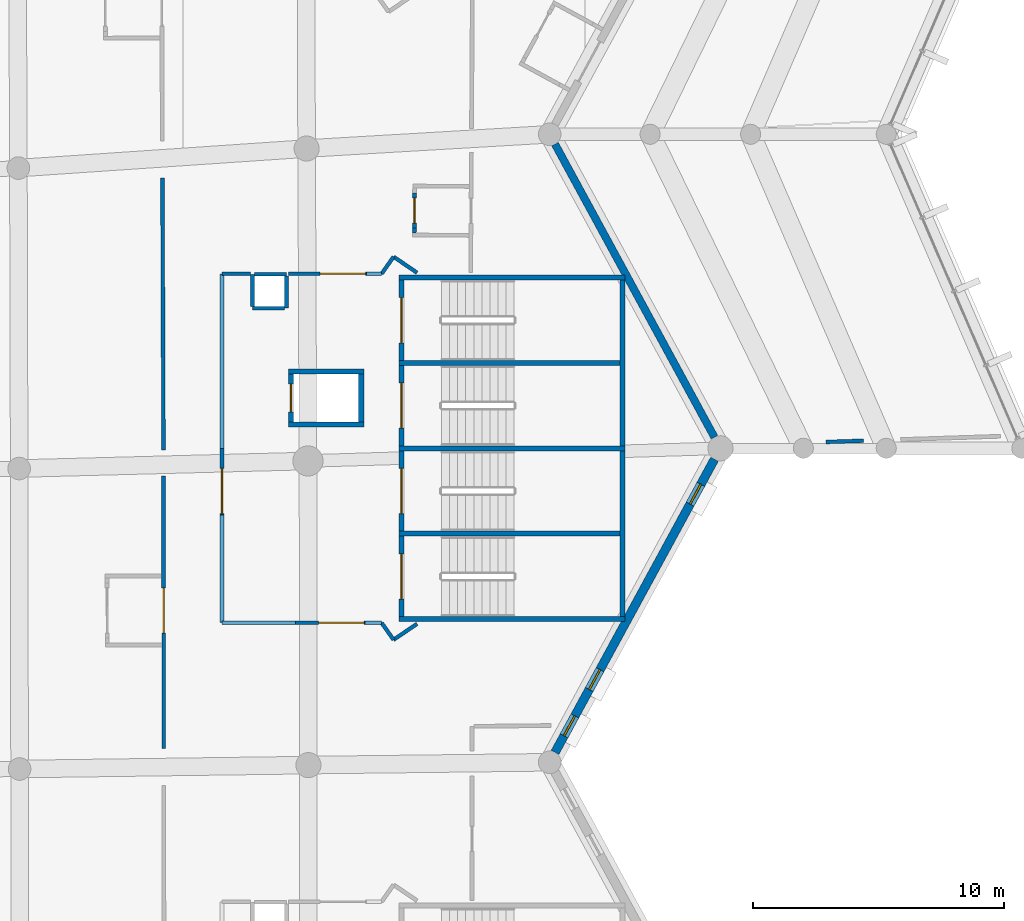
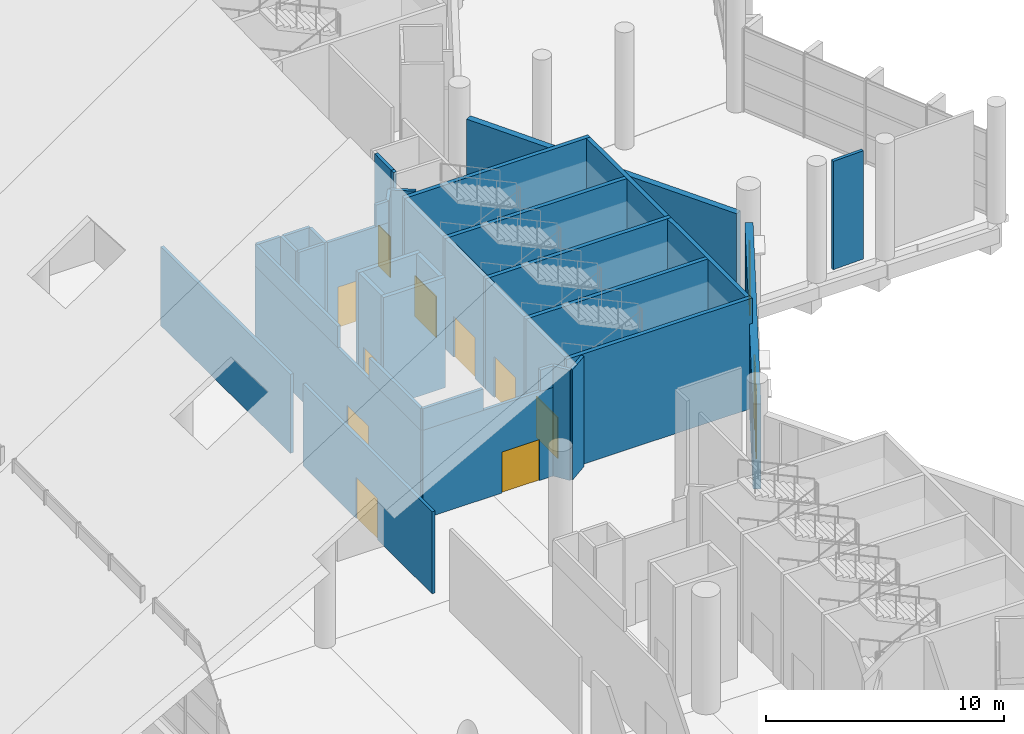
# One storey, part 170 of 249: 39 walls, 10 doors, 3 windows, 13 openings.
"""IFC4 building model written with IfcOpenShell, lengths in metres."""

from ifc_helpers import new_model, si_unit, direction, frame, frame_2d, origin, place, context, subcontext, project, spatial, rectangle, extrude, material, layer, layer_set, type_object, element, fill, save


model = new_model("IFC4")

# Units and contexts
model_context = context("Model", 3, precision=1e-05, world=origin(), true_north=direction((0.0, 1.0)))
body_context = subcontext(model_context, "Body", "Model", "MODEL_VIEW")
ifc_project = project(units=[si_unit("LENGTHUNIT", "METRE"), si_unit("AREAUNIT", "SQUARE_METRE"), si_unit("VOLUMEUNIT", "CUBIC_METRE"), si_unit("PLANEANGLEUNIT", "RADIAN"), si_unit("MASSUNIT", "GRAM", prefix="KILO")], contexts=[model_context])

# Site, building, storey
site_placement = place(None, origin())
site = spatial("IfcSite", under=ifc_project, at=site_placement, CompositionType="ELEMENT")
building_placement = place(site_placement, origin())
building = spatial("IfcBuilding", under=site, at=building_placement, Name="Meseta Stadium", CompositionType="ELEMENT")
storey_placement = place(building_placement, frame((0.0, 0.0, 12.0)))
storey = spatial("IfcBuildingStorey", under=building, at=storey_placement, Name="L02", CompositionType="ELEMENT", Elevation=12.0)

# Walls
ifc_material_1 = material(Name="Concrete C40/50", Category="concrete")
ifc_layer_1 = layer(ifc_material_1, 0.199951171875)
ifc_layer_set_1 = layer_set([ifc_layer_1], Name="Core divider wall 200")
wall_type_1 = type_object("IfcWallType", Name="Core divider wall 200", PredefinedType="SHEAR", material=ifc_layer_set_1)
for number, where, z_axis, x_axis, name in (
    (1, (97.60009765625, 15.35009765625, 0.0), (0.0, 0.0, 1.0), (-1.0, 0.0, 0.0), "Core 04 L02 stair A divider wall"),
    (2, (97.60009765625, 22.14990234375, 0.0), (0.0, 0.0, 1.0), (-1.0, 0.0, 0.0), "Core 04 L02 stair B divider wall"),
):
    element("IfcWall", number, at=place(storey_placement, frame(where, z_axis=z_axis, x_axis=x_axis)), inside=storey, type_object=wall_type_1, Name=name, PredefinedType="SHEAR", context=body_context, shape_type="SweptSolid", body=[
        extrude(rectangle(XDim=9.0, YDim=0.199951171875, at=frame_2d((4.5, 0.0))), origin(), (0.0, 0.0, 1.0), 5.64990234375),
    ])
ifc_material_2 = material(Name="Concrete C40/50", Category="concrete")
ifc_layer_2 = layer(ifc_material_2, 0.199951171875)
ifc_layer_set_2 = layer_set([ifc_layer_2], Name="Core shaft wall 200")
wall_type_2 = type_object("IfcWallType", Name="Core shaft wall 200", PredefinedType="SHEAR", material=ifc_layer_set_2)
for number, where, z_axis, x_axis, name in (
    (3, (97.60009765625, 11.949951171875, 0.0), (0.0, 0.0, 1.0), (-1.0, 0.0, 0.0), "Core 04 L02 stair wall A-side"),
    (4, (97.60009765625, 18.75, 0.0), (0.0, 0.0, 1.0), (-1.0, 0.0, 0.0), "Core 04 L02 stair wall shared"),
    (5, (97.60009765625, 25.550048828125, 0.0), (0.0, 0.0, 1.0), (-1.0, 0.0, 0.0), "Core 04 L02 stair wall B-side"),
):
    element("IfcWall", number, at=place(storey_placement, frame(where, z_axis=z_axis, x_axis=x_axis)), inside=storey, type_object=wall_type_2, Name=name, PredefinedType="SHEAR", context=body_context, shape_type="SweptSolid", body=[
        extrude(rectangle(XDim=9.0, YDim=0.199951171875, at=frame_2d((4.5, 0.0))), origin(), (0.0, 0.0, 1.0), 5.64990234375),
    ])
for number, where, z_axis, x_axis, name in (
    (6, (97.5, 12.050048828125, 0.0), (0.0, 0.0, 1.0), (0.0, 1.0, 0.0), "Core 04 L02 stair A outer end wall"),
    (7, (97.5, 18.85009765625, 0.0), (0.0, 0.0, 1.0), (0.0, 1.0, 0.0), "Core 04 L02 stair B outer end wall"),
):
    element("IfcWall", number, at=place(storey_placement, frame(where, z_axis=z_axis, x_axis=x_axis)), inside=storey, type_object=wall_type_2, Name=name, PredefinedType="SHEAR", context=body_context, shape_type="SweptSolid", body=[
        extrude(rectangle(XDim=6.599853515625, YDim=0.199951171875, at=frame_2d((3.2998046875, 0.0))), origin(), (0.0, 0.0, 1.0), 5.64990234375),
    ])

# Wall, opening, door
wall_1_placement = place(storey_placement, frame((88.699951171875, 12.050048828125, 0.0), z_axis=(0.0, 0.0, 1.0), x_axis=(0.0, 1.0, 0.0)))
wall_1 = element("IfcWall", 8, at=wall_1_placement, inside=storey, type_object=wall_type_2, Name="Core 04 L02 stair A1 inner end wall", PredefinedType="SHEAR", context=body_context, shape_type="SweptSolid", body=[
    extrude(rectangle(XDim=3.199951171875, YDim=0.199951171875, at=frame_2d((1.60009765625, 0.0))), origin(), (0.0, 0.0, 1.0), 5.64990234375),
])
opening_1_placement = place(wall_1_placement, frame((0.699951171875, 0.0, 0.0)))
opening_1 = element("IfcOpeningElement", 9, at=opening_1_placement, cuts=wall_1, Name="Opening D1249", PredefinedType="OPENING", context=body_context, shape_type="SweptSolid", body=[
    extrude(rectangle(XDim=1.800048828125, YDim=2.10009765625, at=frame_2d((0.89990234375, 1.050048828125))), frame((0.0, 0.10986328125, 0.0), z_axis=(0.0, -1.0, 0.0), x_axis=(1.0, 0.0, 0.0)), (0.0, 0.0, 1.0), 0.219970703125),
])
ifc_material_3 = material(Name="Steel", Category="steel")
door_type_1 = type_object("IfcDoorType", Name="Stair door 1800x2100", OperationType="DOUBLE_DOOR_SINGLE_SWING", PredefinedType="DOOR", material=ifc_material_3)
door_1_placement = place(opening_1_placement, origin())
door_1 = element("IfcDoor", 10, at=door_1_placement, inside=storey, type_object=door_type_1, Name="Stair A1 door 04 L02", OperationType="DOUBLE_DOOR_SINGLE_SWING", OverallHeight=2.10009765625, OverallWidth=1.800048828125, PredefinedType="DOOR", context=body_context, shape_type="SweptSolid", body=[
    extrude(rectangle(XDim=1.800048828125, YDim=2.10009765625, at=frame_2d((0.89990234375, 1.050048828125))), frame((0.0, 0.02490234375, 0.0), z_axis=(0.0, -1.0, 0.0), x_axis=(1.0, 0.0, 0.0)), (0.0, 0.0, 1.0), 0.050048828125),
])
fill(opening_1, door_1)

wall_2_placement = place(storey_placement, frame((88.699951171875, 15.449951171875, 0.0), z_axis=(0.0, 0.0, 1.0), x_axis=(0.0, 1.0, 0.0)))
wall_2 = element("IfcWall", 11, at=wall_2_placement, inside=storey, type_object=wall_type_2, Name="Core 04 L02 stair A2 inner end wall", PredefinedType="SHEAR", context=body_context, shape_type="SweptSolid", body=[
    extrude(rectangle(XDim=3.199951171875, YDim=0.199951171875, at=frame_2d((1.60009765625, 0.0))), origin(), (0.0, 0.0, 1.0), 5.64990234375),
])
opening_2_placement = place(wall_2_placement, frame((0.699951171875, 0.0, 0.0)))
opening_2 = element("IfcOpeningElement", 12, at=opening_2_placement, cuts=wall_2, Name="Opening D1250", PredefinedType="OPENING", context=body_context, shape_type="SweptSolid", body=[
    extrude(rectangle(XDim=1.800048828125, YDim=2.10009765625, at=frame_2d((0.89990234375, 1.050048828125))), frame((0.0, 0.10986328125, 0.0), z_axis=(0.0, -1.0, 0.0), x_axis=(1.0, 0.0, 0.0)), (0.0, 0.0, 1.0), 0.219970703125),
])
door_2_placement = place(opening_2_placement, origin())
door_2 = element("IfcDoor", 13, at=door_2_placement, inside=storey, type_object=door_type_1, Name="Stair A2 door 04 L02", OperationType="DOUBLE_DOOR_SINGLE_SWING", OverallHeight=2.10009765625, OverallWidth=1.800048828125, PredefinedType="DOOR", context=body_context, shape_type="SweptSolid", body=[
    extrude(rectangle(XDim=1.800048828125, YDim=2.10009765625, at=frame_2d((0.89990234375, 1.050048828125))), frame((0.0, 0.02490234375, 0.0), z_axis=(0.0, -1.0, 0.0), x_axis=(1.0, 0.0, 0.0)), (0.0, 0.0, 1.0), 0.050048828125),
])
fill(opening_2, door_2)

wall_3_placement = place(storey_placement, frame((88.699951171875, 18.85009765625, 0.0), z_axis=(0.0, 0.0, 1.0), x_axis=(0.0, 1.0, 0.0)))
wall_3 = element("IfcWall", 14, at=wall_3_placement, inside=storey, type_object=wall_type_2, Name="Core 04 L02 stair B1 inner end wall", PredefinedType="SHEAR", context=body_context, shape_type="SweptSolid", body=[
    extrude(rectangle(XDim=3.199951171875, YDim=0.199951171875, at=frame_2d((1.60009765625, 0.0))), origin(), (0.0, 0.0, 1.0), 5.64990234375),
])
opening_3_placement = place(wall_3_placement, frame((0.699951171875, 0.0, 0.0)))
opening_3 = element("IfcOpeningElement", 15, at=opening_3_placement, cuts=wall_3, Name="Opening D1251", PredefinedType="OPENING", context=body_context, shape_type="SweptSolid", body=[
    extrude(rectangle(XDim=1.800048828125, YDim=2.10009765625, at=frame_2d((0.89990234375, 1.050048828125))), frame((0.0, 0.10986328125, 0.0), z_axis=(0.0, -1.0, 0.0), x_axis=(1.0, 0.0, 0.0)), (0.0, 0.0, 1.0), 0.219970703125),
])
door_3_placement = place(opening_3_placement, origin())
door_3 = element("IfcDoor", 16, at=door_3_placement, inside=storey, type_object=door_type_1, Name="Stair B1 door 04 L02", OperationType="DOUBLE_DOOR_SINGLE_SWING", OverallHeight=2.10009765625, OverallWidth=1.800048828125, PredefinedType="DOOR", context=body_context, shape_type="SweptSolid", body=[
    extrude(rectangle(XDim=1.800048828125, YDim=2.10009765625, at=frame_2d((0.89990234375, 1.050048828125))), frame((0.0, 0.02490234375, 0.0), z_axis=(0.0, -1.0, 0.0), x_axis=(1.0, 0.0, 0.0)), (0.0, 0.0, 1.0), 0.050048828125),
])
fill(opening_3, door_3)

wall_4_placement = place(storey_placement, frame((88.699951171875, 22.25, 0.0), z_axis=(0.0, 0.0, 1.0), x_axis=(0.0, 1.0, 0.0)))
wall_4 = element("IfcWall", 17, at=wall_4_placement, inside=storey, type_object=wall_type_2, Name="Core 04 L02 stair B2 inner end wall", PredefinedType="SHEAR", context=body_context, shape_type="SweptSolid", body=[
    extrude(rectangle(XDim=3.199951171875, YDim=0.199951171875, at=frame_2d((1.60009765625, 0.0))), origin(), (0.0, 0.0, 1.0), 5.64990234375),
])
opening_4_placement = place(wall_4_placement, frame((0.699951171875, 0.0, 0.0)))
opening_4 = element("IfcOpeningElement", 18, at=opening_4_placement, cuts=wall_4, Name="Opening D1252", PredefinedType="OPENING", context=body_context, shape_type="SweptSolid", body=[
    extrude(rectangle(XDim=1.800048828125, YDim=2.10009765625, at=frame_2d((0.89990234375, 1.050048828125))), frame((0.0, 0.10986328125, 0.0), z_axis=(0.0, -1.0, 0.0), x_axis=(1.0, 0.0, 0.0)), (0.0, 0.0, 1.0), 0.219970703125),
])
door_4_placement = place(opening_4_placement, origin())
door_4 = element("IfcDoor", 19, at=door_4_placement, inside=storey, type_object=door_type_1, Name="Stair B2 door 04 L02", OperationType="DOUBLE_DOOR_SINGLE_SWING", OverallHeight=2.10009765625, OverallWidth=1.800048828125, PredefinedType="DOOR", context=body_context, shape_type="SweptSolid", body=[
    extrude(rectangle(XDim=1.800048828125, YDim=2.10009765625, at=frame_2d((0.89990234375, 1.050048828125))), frame((0.0, 0.02490234375, 0.0), z_axis=(0.0, -1.0, 0.0), x_axis=(1.0, 0.0, 0.0)), (0.0, 0.0, 1.0), 0.050048828125),
])
fill(opening_4, door_4)

# Walls
for number, where, z_axis, x_axis, name in (
    (20, (87.199951171875, 19.699951171875, 0.0), (0.0, 0.0, 1.0), (-1.0, 0.0, 0.0), "Core 04 L02 lift shaft wall left"),
    (21, (87.199951171875, 21.800048828125, 0.0), (0.0, 0.0, 1.0), (-1.0, 0.0, 0.0), "Core 04 L02 lift shaft wall right"),
):
    element("IfcWall", number, at=place(storey_placement, frame(where, z_axis=z_axis, x_axis=x_axis)), inside=storey, type_object=wall_type_2, Name=name, PredefinedType="SHEAR", context=body_context, shape_type="SweptSolid", body=[
        extrude(rectangle(XDim=3.0, YDim=0.199951171875, at=frame_2d((1.5, 0.0))), origin(), (0.0, 0.0, 1.0), 5.64990234375),
    ])
wall_5_placement = place(storey_placement, frame((87.10009765625, 19.800048828125, 0.0), z_axis=(0.0, 0.0, 1.0), x_axis=(0.0, 1.0, 0.0)))
element("IfcWall", 22, at=wall_5_placement, inside=storey, type_object=wall_type_2, Name="Core 04 L02 lift shaft back wall", PredefinedType="SHEAR", context=body_context, shape_type="SweptSolid", body=[
    extrude(rectangle(XDim=1.89990234375, YDim=0.199951171875, at=frame_2d((0.949951171875, 0.0))), origin(), (0.0, 0.0, 1.0), 5.64990234375),
])

# Wall, opening, door
wall_6_placement = place(storey_placement, frame((84.300048828125, 19.800048828125, 0.0), z_axis=(0.0, 0.0, 1.0), x_axis=(0.0, 1.0, 0.0)))
wall_6 = element("IfcWall", 23, at=wall_6_placement, inside=storey, type_object=wall_type_2, Name="Core 04 L02 lift shaft front wall", PredefinedType="SHEAR", context=body_context, shape_type="SweptSolid", body=[
    extrude(rectangle(XDim=1.89990234375, YDim=0.199951171875, at=frame_2d((0.949951171875, 0.0))), origin(), (0.0, 0.0, 1.0), 5.64990234375),
])
opening_5_placement = place(wall_6_placement, frame((0.39990234375, 0.0, 0.0)))
opening_5 = element("IfcOpeningElement", 24, at=opening_5_placement, cuts=wall_6, Name="Opening LD22", PredefinedType="OPENING", context=body_context, shape_type="SweptSolid", body=[
    extrude(rectangle(XDim=1.10009765625, YDim=2.10009765625, at=frame_2d((0.550048828125, 1.050048828125))), frame((0.0, 0.10986328125, 0.0), z_axis=(0.0, -1.0, 0.0), x_axis=(1.0, 0.0, 0.0)), (0.0, 0.0, 1.0), 0.219970703125),
])
ifc_material_4 = material(Name="Steel", Category="steel")
door_type_2 = type_object("IfcDoorType", Name="Lift landing door 1100x2100", OperationType="SLIDING_TO_LEFT", PredefinedType="DOOR", material=ifc_material_4)
door_5_placement = place(opening_5_placement, origin())
door_5 = element("IfcDoor", 25, at=door_5_placement, inside=storey, type_object=door_type_2, Name="Lift landing door LD22", OperationType="SLIDING_TO_RIGHT", OverallHeight=2.10009765625, OverallWidth=1.10009765625, PredefinedType="DOOR", context=body_context, shape_type="SweptSolid", body=[
    extrude(rectangle(XDim=1.10009765625, YDim=2.10009765625, at=frame_2d((0.550048828125, 1.050048828125))), frame((0.0, 0.02490234375, 0.0), z_axis=(0.0, -1.0, 0.0), x_axis=(1.0, 0.0, 0.0)), (0.0, 0.0, 1.0), 0.050048828125),
])
fill(opening_5, door_5)

ifc_material_5 = material(Name="Masonry blockwork", Category="masonry")
ifc_layer_3 = layer(ifc_material_5, 0.14990234375)
ifc_layer_set_3 = layer_set([ifc_layer_3], Name="Partition 150")
wall_type_3 = type_object("IfcWallType", Name="Partition 150", PredefinedType="PARTITIONING", material=ifc_layer_set_3)
wall_7_placement = place(storey_placement, frame((79.229736328125, 17.64013671875, 0.0), z_axis=(0.0, 0.0, 1.0), x_axis=(0.0007662833, -0.999999706405, 0.0)))
wall_7 = element("IfcWall", 26, at=wall_7_placement, inside=storey, type_object=wall_type_3, Name="Partition L02 L02-cell02-0-0", PredefinedType="PARTITIONING", context=body_context, shape_type="SweptSolid", body=[
    extrude(rectangle(XDim=10.83251953125, YDim=0.14990234375, at=frame_2d((5.416259765625, 0.0))), origin(), (0.0, 0.0, 1.0), 4.19970703125),
])
opening_6_placement = place(wall_7_placement, frame((4.449951171875, 0.0, 0.0)))
opening_6 = element("IfcOpeningElement", 27, at=opening_6_placement, cuts=wall_7, Name="Opening D1206", PredefinedType="OPENING", context=body_context, shape_type="SweptSolid", body=[
    extrude(rectangle(XDim=1.800048828125, YDim=2.10009765625, at=frame_2d((0.89990234375, 1.050048828125))), frame((0.0, 0.0849609375, 0.0), z_axis=(0.0, -1.0, 0.0), x_axis=(1.0, 0.0, 0.0)), (0.0, 0.0, 1.0), 0.169921875),
])
ifc_material_6 = material(Name="Steel", Category="steel")
door_type_3 = type_object("IfcDoorType", Name="Fire double door 1800x2100 EI2 60", OperationType="DOUBLE_DOOR_SINGLE_SWING", PredefinedType="DOOR", material=ifc_material_6)
door_6_placement = place(opening_6_placement, origin())
door_6 = element("IfcDoor", 28, at=door_6_placement, inside=storey, type_object=door_type_3, Name="Room door L02 L02-cell02-0-0", OperationType="DOUBLE_DOOR_SINGLE_SWING", OverallHeight=2.10009765625, OverallWidth=1.800048828125, PredefinedType="DOOR", context=body_context, shape_type="SweptSolid", body=[
    extrude(rectangle(XDim=1.800048828125, YDim=2.10009765625, at=frame_2d((0.89990234375, 1.050048828125))), frame((0.0, 0.02490234375, 0.0), z_axis=(0.0, -1.0, 0.0), x_axis=(1.0, 0.0, 0.0)), (0.0, 0.0, 1.0), 0.050048828125),
])
fill(opening_6, door_6)

# Walls
wall_8_placement = place(storey_placement, frame((79.186279296875, 29.50390625, 0.0), z_axis=(0.0, 0.0, 1.0), x_axis=(0.003787510032, -0.999992827358, 0.0)))
element("IfcWall", 29, at=wall_8_placement, inside=storey, type_object=wall_type_3, Name="Partition L02 L02-cell03-0-0", PredefinedType="PARTITIONING", context=body_context, shape_type="SweptSolid", body=[
    extrude(rectangle(XDim=10.8291015625, YDim=0.14990234375, at=frame_2d((5.41455078125, 0.0))), origin(), (0.0, 0.0, 1.0), 4.04833984375),
])
wall_9_placement = place(storey_placement, frame((107.0888671875, 19.049072265625, 0.0), z_axis=(0.0, 0.0, 1.0), x_axis=(-0.999457207836, -0.03294373545, 0.0)))
element("IfcWall", 30, at=wall_9_placement, inside=storey, type_object=wall_type_3, Name="Partition L02 L02-ring03-0", PredefinedType="PARTITIONING", context=body_context, shape_type="SweptSolid", body=[
    extrude(rectangle(XDim=1.489501953125, YDim=0.14990234375, at=frame_2d((0.74462890625, 0.0))), origin(), (0.0, 0.0, 1.0), 5.550048828125),
])
wall_10_placement = place(storey_placement, frame((84.125, 24.324951171875, 0.0), z_axis=(0.0, 0.0, 1.0), x_axis=(0.0, 1.0, 0.0)))
element("IfcWall", 31, at=wall_10_placement, inside=storey, type_object=wall_type_3, Name="Pressurisation shaft wall L02 core 04", PredefinedType="PARTITIONING", context=body_context, shape_type="SweptSolid", body=[
    extrude(rectangle(XDim=1.275146484375, YDim=0.14990234375, at=frame_2d((0.6376953125, 0.0))), origin(), (0.0, 0.0, 1.0), 5.64990234375),
])
wall_11_placement = place(storey_placement, frame((84.125, 25.675048828125, 0.0), z_axis=(0.0, 0.0, 1.0), x_axis=(-1.0, 0.0, 0.0)))
element("IfcWall", 32, at=wall_11_placement, inside=storey, type_object=wall_type_3, Name="Pressurisation shaft wall L02 core 04", PredefinedType="PARTITIONING", context=body_context, shape_type="SweptSolid", body=[
    extrude(rectangle(XDim=1.27490234375, YDim=0.14990234375, at=frame_2d((0.637451171875, 0.0))), origin(), (0.0, 0.0, 1.0), 5.64990234375),
])
for number, where, z_axis, x_axis, name in (
    (33, (82.77490234375, 25.675048828125, 0.0), (0.0, 0.0, 1.0), (0.0, -1.0, 0.0), "Pressurisation shaft wall L02 core 04"),
    (34, (82.77490234375, 24.324951171875, 0.0), (0.0, 0.0, 1.0), (1.0, 0.0, 0.0), "Pressurisation shaft wall L02 core 04"),
):
    element("IfcWall", number, at=place(storey_placement, frame(where, z_axis=z_axis, x_axis=x_axis)), inside=storey, type_object=wall_type_3, Name=name, PredefinedType="PARTITIONING", context=body_context, shape_type="SweptSolid", body=[
        extrude(rectangle(XDim=1.275146484375, YDim=0.14990234375, at=frame_2d((0.6376953125, 0.0))), origin(), (0.0, 0.0, 1.0), 5.64990234375),
    ])
wall_12_placement = place(storey_placement, frame((89.31982421875, 25.739501953125, 0.0), z_axis=(0.0, 0.0, 1.0), x_axis=(-0.826749248939, 0.562570599462, 0.0)))
element("IfcWall", 35, at=wall_12_placement, inside=storey, type_object=wall_type_3, Name="Stair vestibule wall L02 core 04", PredefinedType="PARTITIONING", context=body_context, shape_type="SweptSolid", body=[
    extrude(rectangle(XDim=1.12744140625, YDim=0.14990234375, at=frame_2d((0.563720703125, 0.0))), origin(), (0.0, 0.0, 1.0), 5.64990234375),
])
wall_13_placement = place(storey_placement, frame((88.3876953125, 26.373779296875, 0.0), z_axis=(0.0, 0.0, 1.0), x_axis=(-0.5761634622, -0.817334487726, 0.0)))
element("IfcWall", 36, at=wall_13_placement, inside=storey, type_object=wall_type_3, Name="Stair vestibule wall L02 core 04", PredefinedType="PARTITIONING", context=body_context, shape_type="SweptSolid", body=[
    extrude(rectangle(XDim=0.830078125, YDim=0.14990234375, at=frame_2d((0.4150390625, 0.0))), origin(), (0.0, 0.0, 1.0), 5.64990234375),
])

# Wall, opening, door
wall_14_placement = place(storey_placement, frame((87.909423828125, 25.6953125, 0.0), z_axis=(0.0, 0.0, 1.0), x_axis=(-0.999999997827, -6.5919578e-05, 0.0)))
wall_14 = element("IfcWall", 37, at=wall_14_placement, inside=storey, type_object=wall_type_3, Name="Stair vestibule wall L02 core 04", PredefinedType="PARTITIONING", context=body_context, shape_type="SweptSolid", body=[
    extrude(rectangle(XDim=3.70361328125, YDim=0.14990234375, at=frame_2d((1.851806640625, 0.0))), origin(), (0.0, 0.0, 1.0), 4.550048828125),
])
opening_7_placement = place(wall_14_placement, frame((0.64990234375, 0.0, 0.0)))
opening_7 = element("IfcOpeningElement", 38, at=opening_7_placement, cuts=wall_14, Name="Opening D1231", PredefinedType="OPENING", context=body_context, shape_type="SweptSolid", body=[
    extrude(rectangle(XDim=1.800048828125, YDim=2.10009765625, at=frame_2d((0.89990234375, 1.050048828125))), frame((0.0, 0.0849609375, 0.0), z_axis=(0.0, -1.0, 0.0), x_axis=(1.0, 0.0, 0.0)), (0.0, 0.0, 1.0), 0.169921875),
])
door_7_placement = place(opening_7_placement, origin())
door_7 = element("IfcDoor", 39, at=door_7_placement, inside=storey, type_object=door_type_3, Name="Stair vestibule door L02 core 04", OperationType="DOUBLE_DOOR_SINGLE_SWING", OverallHeight=2.10009765625, OverallWidth=1.800048828125, PredefinedType="DOOR", context=body_context, shape_type="SweptSolid", body=[
    extrude(rectangle(XDim=1.800048828125, YDim=2.10009765625, at=frame_2d((0.89990234375, 1.050048828125))), frame((0.0, 0.02490234375, 0.0), z_axis=(0.0, -1.0, 0.0), x_axis=(1.0, 0.0, 0.0)), (0.0, 0.0, 1.0), 0.050048828125),
])
fill(opening_7, door_7)

# Walls
wall_15_placement = place(storey_placement, frame((87.909423828125, 25.6953125, 4.550048828125), z_axis=(0.0, 0.0, 1.0), x_axis=(-1.0, 0.0, 0.0)))
element("IfcWall", 40, at=wall_15_placement, inside=storey, type_object=wall_type_3, Name="Stair vestibule wall L02 core 04", PredefinedType="PARTITIONING", context=body_context, shape_type="SweptSolid", body=[
    extrude(rectangle(XDim=0.599853515625, YDim=0.14990234375, at=frame_2d((0.2998046875, 0.0))), origin(), (0.0, 0.0, 1.0), 1.099853515625),
])
wall_16_placement = place(storey_placement, frame((82.68994140625, 25.695068359375, 0.0), z_axis=(0.0, 0.0, 1.0), x_axis=(-1.0, 0.0, 0.0)))
element("IfcWall", 41, at=wall_16_placement, inside=storey, type_object=wall_type_3, Name="Stair vestibule wall L02 core 04", PredefinedType="PARTITIONING", context=body_context, shape_type="SweptSolid", body=[
    extrude(rectangle(XDim=1.135009765625, YDim=0.14990234375, at=frame_2d((0.5673828125, 0.0))), origin(), (0.0, 0.0, 1.0), 5.64990234375),
])

# Wall, opening, door
wall_17_placement = place(storey_placement, frame((81.554931640625, 25.695068359375, 0.0), z_axis=(0.0, 0.0, 1.0), x_axis=(0.0, -1.0, 0.0)))
wall_17 = element("IfcWall", 42, at=wall_17_placement, inside=storey, type_object=wall_type_3, Name="Stair vestibule wall L02 core 04", PredefinedType="PARTITIONING", context=body_context, shape_type="SweptSolid", body=[
    extrude(rectangle(XDim=13.89013671875, YDim=0.14990234375, at=frame_2d((6.945068359375, 0.0))), origin(), (0.0, 0.0, 1.0), 4.550048828125),
])
opening_8_placement = place(wall_17_placement, frame((7.75, 0.0, 0.0)))
opening_8 = element("IfcOpeningElement", 43, at=opening_8_placement, cuts=wall_17, Name="Opening D1214", PredefinedType="OPENING", context=body_context, shape_type="SweptSolid", body=[
    extrude(rectangle(XDim=1.800048828125, YDim=2.10009765625, at=frame_2d((0.89990234375, 1.050048828125))), frame((0.0, 0.0849609375, 0.0), z_axis=(0.0, -1.0, 0.0), x_axis=(1.0, 0.0, 0.0)), (0.0, 0.0, 1.0), 0.169921875),
])
door_8_placement = place(opening_8_placement, origin())
door_8 = element("IfcDoor", 44, at=door_8_placement, inside=storey, type_object=door_type_3, Name="Stair vestibule door L02 core 04", OperationType="DOUBLE_DOOR_SINGLE_SWING", OverallHeight=2.10009765625, OverallWidth=1.800048828125, PredefinedType="DOOR", context=body_context, shape_type="SweptSolid", body=[
    extrude(rectangle(XDim=1.800048828125, YDim=2.10009765625, at=frame_2d((0.89990234375, 1.050048828125))), frame((0.0, 0.02490234375, 0.0), z_axis=(0.0, -1.0, 0.0), x_axis=(1.0, 0.0, 0.0)), (0.0, 0.0, 1.0), 0.050048828125),
])
fill(opening_8, door_8)

# Walls
wall_18_placement = place(storey_placement, frame((81.554931640625, 25.695068359375, 4.550048828125), z_axis=(0.0, 0.0, 1.0), x_axis=(0.0, -1.0, 0.0)))
element("IfcWall", 45, at=wall_18_placement, inside=storey, type_object=wall_type_3, Name="Stair vestibule wall L02 core 04", PredefinedType="PARTITIONING", context=body_context, shape_type="SweptSolid", body=[
    extrude(rectangle(XDim=6.945068359375, YDim=0.14990234375, at=frame_2d((3.47265625, 0.0))), origin(), (0.0, 0.0, 1.0), 1.099853515625),
])
wall_19_placement = place(storey_placement, frame((81.554931640625, 16.094970703125, 4.550048828125), z_axis=(0.0, 0.0, 1.0), x_axis=(0.0, -1.0, 0.0)))
element("IfcWall", 46, at=wall_19_placement, inside=storey, type_object=wall_type_3, Name="Stair vestibule wall L02 core 04", PredefinedType="PARTITIONING", context=body_context, shape_type="SweptSolid", body=[
    extrude(rectangle(XDim=4.2900390625, YDim=0.14990234375, at=frame_2d((2.14501953125, 0.0))), origin(), (0.0, 0.0, 1.0), 1.099853515625),
])

# Wall, opening, door
wall_20_placement = place(storey_placement, frame((81.554931640625, 11.804931640625, 0.0), z_axis=(0.0, 0.0, 1.0), x_axis=(1.0, 0.0, 0.0)))
wall_20 = element("IfcWall", 47, at=wall_20_placement, inside=storey, type_object=wall_type_3, Name="Stair vestibule wall L02 core 04", PredefinedType="PARTITIONING", context=body_context, shape_type="SweptSolid", body=[
    extrude(rectangle(XDim=6.354248046875, YDim=0.14990234375, at=frame_2d((3.17724609375, 0.0))), origin(), (0.0, 0.0, 1.0), 4.550048828125),
])
opening_9_placement = place(wall_20_placement, frame((3.85009765625, 0.0, 0.0)))
opening_9 = element("IfcOpeningElement", 48, at=opening_9_placement, cuts=wall_20, Name="Opening D1228", PredefinedType="OPENING", context=body_context, shape_type="SweptSolid", body=[
    extrude(rectangle(XDim=1.800048828125, YDim=2.10009765625, at=frame_2d((0.89990234375, 1.050048828125))), frame((0.0, 0.0849609375, 0.0), z_axis=(0.0, -1.0, 0.0), x_axis=(1.0, 0.0, 0.0)), (0.0, 0.0, 1.0), 0.169921875),
])
door_9_placement = place(opening_9_placement, origin())
door_9 = element("IfcDoor", 49, at=door_9_placement, inside=storey, type_object=door_type_3, Name="Stair vestibule door L02 core 04", OperationType="DOUBLE_DOOR_SINGLE_SWING", OverallHeight=2.10009765625, OverallWidth=1.800048828125, PredefinedType="DOOR", context=body_context, shape_type="SweptSolid", body=[
    extrude(rectangle(XDim=1.800048828125, YDim=2.10009765625, at=frame_2d((0.89990234375, 1.050048828125))), frame((0.0, 0.02490234375, 0.0), z_axis=(0.0, -1.0, 0.0), x_axis=(1.0, 0.0, 0.0)), (0.0, 0.0, 1.0), 0.050048828125),
])
fill(opening_9, door_9)

# Walls
wall_21_placement = place(storey_placement, frame((81.554931640625, 11.804931640625, 4.550048828125), z_axis=(0.0, 0.0, 1.0), x_axis=(1.0, 0.0, 0.0)))
element("IfcWall", 50, at=wall_21_placement, inside=storey, type_object=wall_type_3, Name="Stair vestibule wall L02 core 04", PredefinedType="PARTITIONING", context=body_context, shape_type="SweptSolid", body=[
    extrude(rectangle(XDim=2.932861328125, YDim=0.14990234375, at=frame_2d((1.46630859375, 0.0))), origin(), (0.0, 0.0, 1.0), 1.099853515625),
])
wall_22_placement = place(storey_placement, frame((87.2548828125, 11.804931640625, 4.550048828125), z_axis=(0.0, 0.0, 1.0), x_axis=(1.0, 0.0, 0.0)))
element("IfcWall", 51, at=wall_22_placement, inside=storey, type_object=wall_type_3, Name="Stair vestibule wall L02 core 04", PredefinedType="PARTITIONING", context=body_context, shape_type="SweptSolid", body=[
    extrude(rectangle(XDim=0.654296875, YDim=0.14990234375, at=frame_2d((0.3271484375, 0.0))), origin(), (0.0, 0.0, 1.0), 1.099853515625),
])
wall_23_placement = place(storey_placement, frame((87.9091796875, 11.804931640625, 0.0), z_axis=(0.0, 0.0, 1.0), x_axis=(0.575573582652, -0.81774999294, 0.0)))
element("IfcWall", 52, at=wall_23_placement, inside=storey, type_object=wall_type_3, Name="Stair vestibule wall L02 core 04", PredefinedType="PARTITIONING", context=body_context, shape_type="SweptSolid", body=[
    extrude(rectangle(XDim=0.82958984375, YDim=0.14990234375, at=frame_2d((0.414794921875, 0.0))), origin(), (0.0, 0.0, 1.0), 5.64990234375),
])
wall_24_placement = place(storey_placement, frame((88.38671875, 11.12646484375, 0.0), z_axis=(0.0, 0.0, 1.0), x_axis=(0.827055308354, 0.562120553728, 0.0)))
element("IfcWall", 53, at=wall_24_placement, inside=storey, type_object=wall_type_3, Name="Stair vestibule wall L02 core 04", PredefinedType="PARTITIONING", context=body_context, shape_type="SweptSolid", body=[
    extrude(rectangle(XDim=1.1279296875, YDim=0.14990234375, at=frame_2d((0.56396484375, 0.0))), origin(), (0.0, 0.0, 1.0), 5.64990234375),
])
wall_25_placement = place(storey_placement, frame((89.21435546875, 27.313720703125, 0.0), z_axis=(0.0, 0.0, 1.0), x_axis=(0.007316877302, 0.999973231295, 0.0)))
element("IfcWall", 54, at=wall_25_placement, inside=storey, type_object=wall_type_3, Name="Partition L02 L02-cell03-2-0 vestibule", PredefinedType="PARTITIONING", context=body_context, shape_type="SweptSolid", body=[
    extrude(rectangle(XDim=0.2001953125, YDim=0.14990234375, at=frame_2d((0.10009765625, 0.0))), origin(), (0.0, 0.0, 1.0), 5.64990234375),
])

# Wall, opening, door
wall_26_placement = place(storey_placement, frame((89.2158203125, 27.513916015625, 0.0), z_axis=(0.0, 0.0, 1.0), x_axis=(0.005929438839, 0.999982420723, 0.0)))
wall_26 = element("IfcWall", 55, at=wall_26_placement, inside=storey, type_object=wall_type_3, Name="Partition L02 L02-cell03-2-0 vestibule", PredefinedType="PARTITIONING", context=body_context, shape_type="SweptSolid", body=[
    extrude(rectangle(XDim=1.39990234375, YDim=0.14990234375, at=frame_2d((0.699951171875, 0.0))), origin(), (0.0, 0.0, 1.0), 5.64990234375),
])
opening_10_placement = place(wall_26_placement, frame((0.199951171875, 0.0, 0.0)))
opening_10 = element("IfcOpeningElement", 56, at=opening_10_placement, cuts=wall_26, Name="Opening D1253", PredefinedType="OPENING", context=body_context, shape_type="SweptSolid", body=[
    extrude(rectangle(XDim=1.0, YDim=2.10009765625, at=frame_2d((0.5, 1.050048828125))), frame((0.0, 0.0849609375, 0.0), z_axis=(0.0, -1.0, 0.0), x_axis=(1.0, 0.0, 0.0)), (0.0, 0.0, 1.0), 0.169921875),
])
ifc_material_7 = material(Name="Steel", Category="steel")
door_type_4 = type_object("IfcDoorType", Name="Fire door 1000x2100 EI2 60", OperationType="NOTDEFINED", PredefinedType="DOOR", material=ifc_material_7)
door_10_placement = place(opening_10_placement, origin())
door_10 = element("IfcDoor", 57, at=door_10_placement, inside=storey, type_object=door_type_4, Name="Vestibule door L02 L02-cell03-2-0", OperationType="SINGLE_SWING_LEFT", OverallHeight=2.10009765625, OverallWidth=1.0, PredefinedType="DOOR", context=body_context, shape_type="SweptSolid", body=[
    extrude(rectangle(XDim=1.0, YDim=2.10009765625, at=frame_2d((0.5, 1.050048828125))), frame((0.0, 0.02490234375, 0.0), z_axis=(0.0, -1.0, 0.0), x_axis=(1.0, 0.0, 0.0)), (0.0, 0.0, 1.0), 0.050048828125),
])
fill(opening_10, door_10)

# Wall
ifc_material_8 = material(Name="White precast concrete C40/50", Category="concrete")
ifc_layer_4 = layer(ifc_material_8, 0.300048828125)
ifc_layer_set_4 = layer_set([ifc_layer_4], Name="Pleated panel wall 300 concourse")
wall_type_4 = type_object("IfcWallType", Name="Pleated panel wall 300 concourse", PredefinedType="SOLIDWALL", material=ifc_layer_set_4)
wall_27_placement = place(storey_placement, frame((94.81494140625, 30.854736328125, 0.0), z_axis=(0.0, 0.0, 1.0), x_axis=(0.477867771117, -0.878431780691, 0.0)))
element("IfcWall", 58, at=wall_27_placement, inside=storey, type_object=wall_type_4, Name="Pleated facade panel L02 F06", PredefinedType="SOLIDWALL", context=body_context, shape_type="SweptSolid", body=[
    extrude(rectangle(XDim=13.2802734375, YDim=0.300048828125, at=frame_2d((6.64013671875, 0.0))), origin(), (0.0, 0.0, 1.0), 4.35009765625),
])

# Wall, openings, windows
ifc_material_9 = material(Name="White precast concrete C40/50", Category="concrete")
ifc_layer_5 = layer(ifc_material_9, 0.35009765625)
ifc_layer_set_5 = layer_set([ifc_layer_5], Name="Pleated panel wall 350 gate")
wall_type_5 = type_object("IfcWallType", Name="Pleated panel wall 350 gate", PredefinedType="SOLIDWALL", material=ifc_layer_set_5)
wall_28_placement = place(storey_placement, frame((101.1611328125, 18.31103515625, 0.0), z_axis=(0.0, 0.0, 1.0), x_axis=(-0.477867771117, -0.878431780691, 0.0)))
wall_28 = element("IfcWall", 59, at=wall_28_placement, inside=storey, type_object=wall_type_5, Name="Pleated facade panel L02 F05", PredefinedType="SOLIDWALL", context=body_context, shape_type="SweptSolid", body=[
    extrude(rectangle(XDim=13.2802734375, YDim=0.35009765625, at=frame_2d((6.64013671875, 0.0))), origin(), (0.0, 0.0, 1.0), 4.35009765625),
])
opening_11_placement = place(wall_28_placement, frame((11.630126953125, 0.0, 1.0)))
opening_11 = element("IfcOpeningElement", 60, at=opening_11_placement, cuts=wall_28, Name="Opening W040", PredefinedType="OPENING", context=body_context, shape_type="SweptSolid", body=[
    extrude(rectangle(XDim=0.89990234375, YDim=3.25, at=frame_2d((0.449951171875, 1.625))), frame((0.0, 0.18505859375, 0.0), z_axis=(0.0, -1.0, 0.0), x_axis=(1.0, 0.0, 0.0)), (0.0, 0.0, 1.0), 0.3701171875),
])
opening_12_placement = place(wall_28_placement, frame((9.530029296875, 0.0, 1.0)))
opening_12 = element("IfcOpeningElement", 61, at=opening_12_placement, cuts=wall_28, Name="Opening W042", PredefinedType="OPENING", context=body_context, shape_type="SweptSolid", body=[
    extrude(rectangle(XDim=0.89990234375, YDim=3.25, at=frame_2d((0.449951171875, 1.625))), frame((0.0, 0.18505859375, 0.0), z_axis=(0.0, -1.0, 0.0), x_axis=(1.0, 0.0, 0.0)), (0.0, 0.0, 1.0), 0.3701171875),
])
opening_13_placement = place(wall_28_placement, frame((1.130126953125, 0.0, 1.0)))
opening_13 = element("IfcOpeningElement", 62, at=opening_13_placement, cuts=wall_28, Name="Opening W044", PredefinedType="OPENING", context=body_context, shape_type="SweptSolid", body=[
    extrude(rectangle(XDim=0.89990234375, YDim=3.25, at=frame_2d((0.449951171875, 1.625))), frame((0.0, 0.18505859375, 0.0), z_axis=(0.0, -1.0, 0.0), x_axis=(1.0, 0.0, 0.0)), (0.0, 0.0, 1.0), 0.3701171875),
])
ifc_material_10 = material(Name="Aluminium", Category="aluminium")
window_type = type_object("IfcWindowType", Name="Slot window 900x3250", PartitioningType="SINGLE_PANEL", PredefinedType="WINDOW", material=ifc_material_10)
window_1_placement = place(opening_11_placement, origin())
window_1 = element("IfcWindow", 63, at=window_1_placement, inside=storey, type_object=window_type, Name="Slot window L02 F05.1", OverallHeight=3.25, OverallWidth=0.89990234375, PartitioningType="SINGLE_PANEL", PredefinedType="WINDOW", context=body_context, shape_type="SweptSolid", body=[
    extrude(rectangle(XDim=0.89990234375, YDim=3.25, at=frame_2d((0.449951171875, 1.625))), frame((0.0, 0.030029296875, 0.0), z_axis=(0.0, -1.0, 0.0), x_axis=(1.0, 0.0, 0.0)), (0.0, 0.0, 1.0), 0.06005859375),
])
fill(opening_11, window_1)
window_2_placement = place(opening_12_placement, origin())
window_2 = element("IfcWindow", 64, at=window_2_placement, inside=storey, type_object=window_type, Name="Slot window L02 F05.2", OverallHeight=3.25, OverallWidth=0.89990234375, PartitioningType="SINGLE_PANEL", PredefinedType="WINDOW", context=body_context, shape_type="SweptSolid", body=[
    extrude(rectangle(XDim=0.89990234375, YDim=3.25, at=frame_2d((0.449951171875, 1.625))), frame((0.0, 0.030029296875, 0.0), z_axis=(0.0, -1.0, 0.0), x_axis=(1.0, 0.0, 0.0)), (0.0, 0.0, 1.0), 0.06005859375),
])
fill(opening_12, window_2)
window_3_placement = place(opening_13_placement, origin())
window_3 = element("IfcWindow", 65, at=window_3_placement, inside=storey, type_object=window_type, Name="Slot window L02 F05.6", OverallHeight=3.25, OverallWidth=0.89990234375, PartitioningType="SINGLE_PANEL", PredefinedType="WINDOW", context=body_context, shape_type="SweptSolid", body=[
    extrude(rectangle(XDim=0.89990234375, YDim=3.25, at=frame_2d((0.449951171875, 1.625))), frame((0.0, 0.030029296875, 0.0), z_axis=(0.0, -1.0, 0.0), x_axis=(1.0, 0.0, 0.0)), (0.0, 0.0, 1.0), 0.06005859375),
])
fill(opening_13, window_3)

save(model, "model.ifc")
